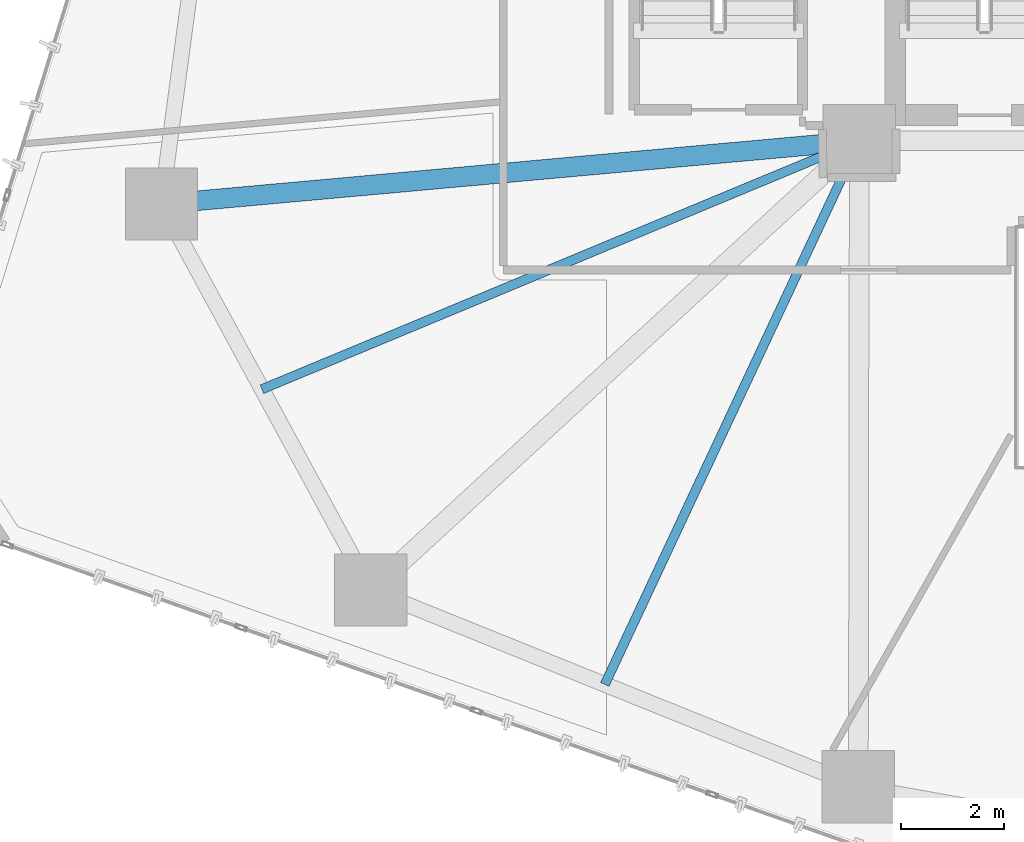
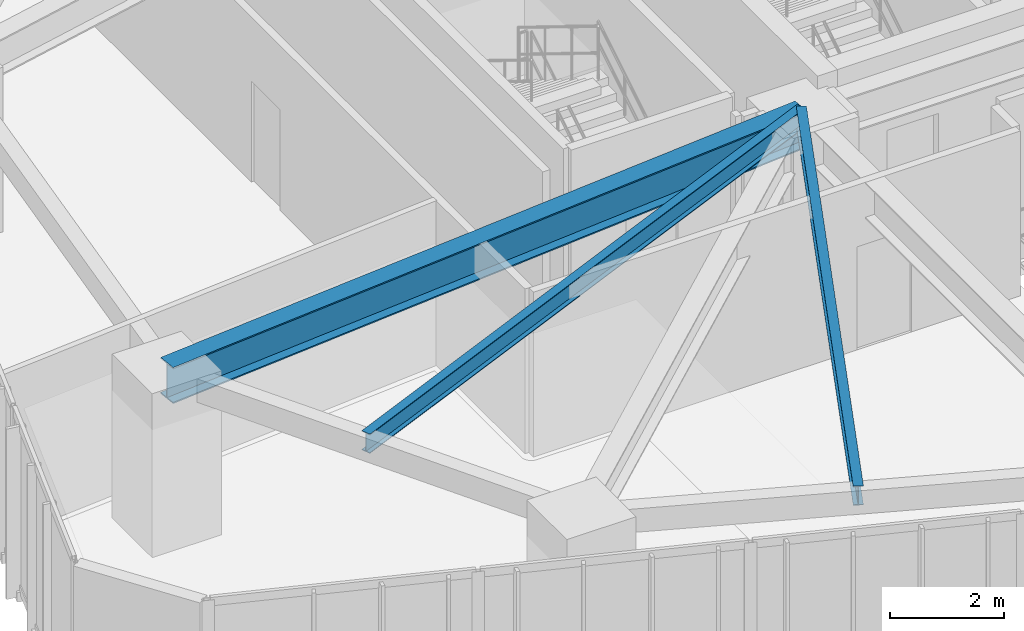
# One storey, part 4 of 24: 3 beams.
"""IFC4 building model written with IfcOpenShell, lengths in metres."""

from ifc_helpers import new_model, si_unit, direction, frame, origin, origin_2d, place, context, subcontext, project, spatial, i_section, extrude, material, material_profile, profile_set, type_object, element, save


model = new_model("IFC4")

# Units and contexts
model_context = context("Model", 3, precision=1e-05, world=origin(), true_north=direction((0.0, 1.0)))
body_context = subcontext(model_context, "Body", "Model", "MODEL_VIEW")
ifc_project = project(units=[si_unit("LENGTHUNIT", "METRE"), si_unit("AREAUNIT", "SQUARE_METRE"), si_unit("VOLUMEUNIT", "CUBIC_METRE"), si_unit("PLANEANGLEUNIT", "RADIAN"), si_unit("MASSUNIT", "GRAM", prefix="KILO")], contexts=[model_context])

# Site, building, storey
site_placement = place(None, origin())
site = spatial("IfcSite", under=ifc_project, at=site_placement, CompositionType="ELEMENT")
building_placement = place(site_placement, origin())
building = spatial("IfcBuilding", under=site, at=building_placement, Name="Talar Marvaseh", CompositionType="ELEMENT")
storey_placement = place(building_placement, frame((0.0, 0.0, 31.60009765625)))
storey = spatial("IfcBuildingStorey", under=building, at=storey_placement, Name="L07", CompositionType="ELEMENT", Elevation=31.60009765625)

# Beams
ifc_material = material(Name="Steel S355", Category="steel")
ifc_material_profile_1 = material_profile(ifc_material, i_section(OverallWidth=0.381103515625, OverallDepth=0.77294921875, WebThickness=0.0166015625, FlangeThickness=0.027099609375, at=origin_2d()), Name="W760x257")
ifc_profile_set_1 = profile_set([ifc_material_profile_1], Name="Steel S355")
beam_type_1 = type_object("IfcBeamType", Name="Zone 1 Radial Floor Girder W760x257", PredefinedType="BEAM", material=ifc_profile_set_1)
beam_1_placement = place(storey_placement, frame((5.175048828125, 24.27587890625, 3.13330078125), z_axis=(0.995929083348, 0.090140229321, 0.0), x_axis=(-0.090140229321, 0.995929083348, 0.0)))
element("IfcBeam", 1, at=beam_1_placement, inside=storey, type_object=beam_type_1, Name="L07 Zone 1 Radial Floor Girder W760x257", PredefinedType="BEAM", context=body_context, shape_type="SweptSolid", body=[
    extrude(i_section(OverallWidth=0.381103515625, OverallDepth=0.77294921875, WebThickness=0.0166015625, FlangeThickness=0.027099609375, at=origin_2d()), origin(), (0.0, 0.0, 1.0), 13.580078125),
])
ifc_material_profile_2 = material_profile(ifc_material, i_section(OverallWidth=0.179931640625, OverallDepth=0.4130859375, WebThickness=0.009765625, FlangeThickness=0.01611328125, at=origin_2d()), Name="W410x75")
ifc_profile_set_2 = profile_set([ifc_material_profile_2], Name="Steel S355")
beam_type_2 = type_object("IfcBeamType", Name="Zone 1 Secondary Floor Joist W410x75", PredefinedType="JOIST", material=ifc_profile_set_2)
beam_2_placement = place(storey_placement, frame((13.7685546875, 14.9638671875, 3.3134765625), z_axis=(0.423911170159, 0.905703770454, 0.0), x_axis=(-0.905703770454, 0.423911170159, 0.0)))
element("IfcBeam", 2, at=beam_2_placement, inside=storey, type_object=beam_type_2, Name="L07 Zone 1 Secondary Floor Joist W410x75", PredefinedType="JOIST", context=body_context, shape_type="SweptSolid", body=[
    extrude(i_section(OverallWidth=0.179931640625, OverallDepth=0.4130859375, WebThickness=0.009765625, FlangeThickness=0.01611328125, at=origin_2d()), origin(), (0.0, 0.0, 1.0), 11.633056640625),
])
beam_3_placement = place(storey_placement, frame((7.122314453125, 20.685546875, 3.3134765625), z_axis=(0.923347443105, 0.383965492346, 0.0), x_axis=(-0.383965492346, 0.923347443105, 0.0)))
element("IfcBeam", 3, at=beam_3_placement, inside=storey, type_object=beam_type_2, Name="L07 Zone 1 Secondary Floor Joist W410x75", PredefinedType="JOIST", context=body_context, shape_type="SweptSolid", body=[
    extrude(i_section(OverallWidth=0.179931640625, OverallDepth=0.4130859375, WebThickness=0.009765625, FlangeThickness=0.01611328125, at=origin_2d()), origin(), (0.0, 0.0, 1.0), 12.538818359375),
])

save(model, "model.ifc")
